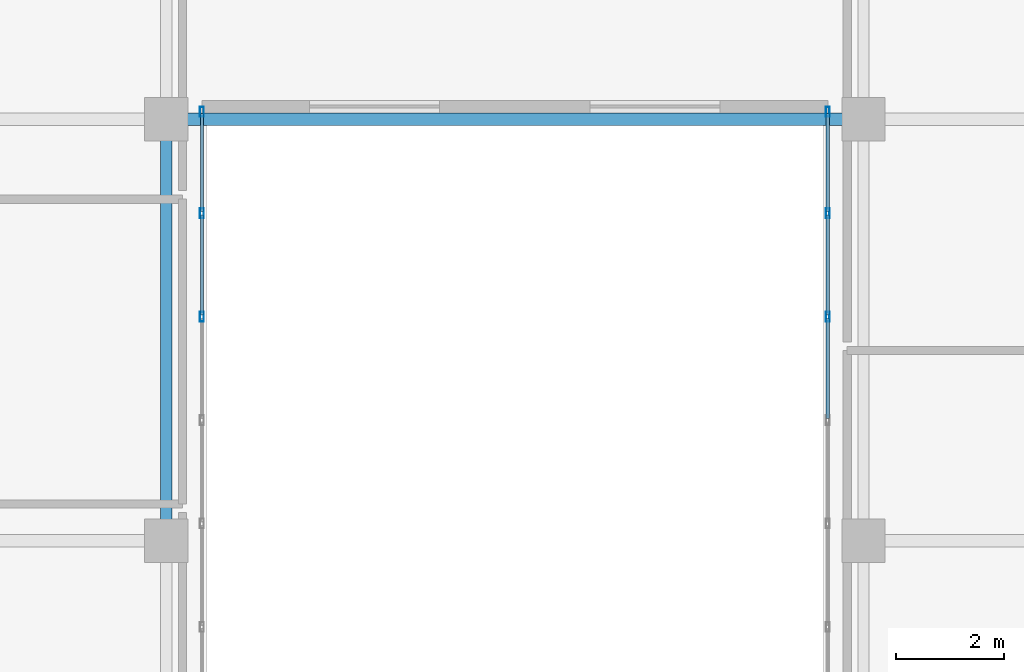
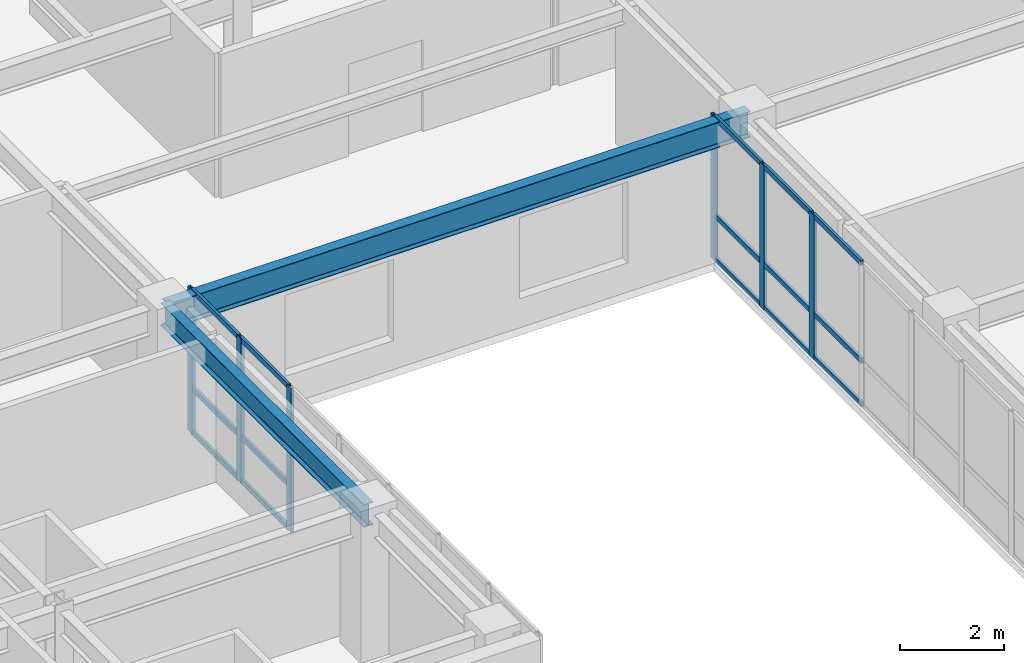
# One storey, part 4 of 14: 21 members, 2 beams, 2 elements without a shape of their own.
"""IFC4 building model written with IfcOpenShell, lengths in metres."""

from ifc_helpers import new_model, si_unit, direction, frame, origin, origin_2d, place, context, subcontext, project, spatial, hollow_rectangle, i_section, extrude, source, transform, mapped, material, layer, layer_set, material_profile, profile_set, type_object, type_shapes, element, aggregate, save


model = new_model("IFC4")

# Units and contexts
model_context = context("Model", 3, precision=1e-05, world=origin(), true_north=direction((0.0, 1.0)))
body_context = subcontext(model_context, "Body", "Model", "MODEL_VIEW")
ifc_project = project(units=[si_unit("LENGTHUNIT", "METRE"), si_unit("AREAUNIT", "SQUARE_METRE"), si_unit("VOLUMEUNIT", "CUBIC_METRE"), si_unit("PLANEANGLEUNIT", "RADIAN"), si_unit("MASSUNIT", "GRAM", prefix="KILO")], contexts=[model_context])

# Site, building, storey
site_placement = place(None, origin())
site = spatial("IfcSite", under=ifc_project, at=site_placement, CompositionType="ELEMENT")
building_placement = place(site_placement, origin())
building = spatial("IfcBuilding", under=site, at=building_placement, Name="Tolvann Quenvar Hotel", CompositionType="ELEMENT")
storey_placement = place(building_placement, frame((0.0, 0.0, 187.550048828125)))
storey = spatial("IfcBuildingStorey", under=building, at=storey_placement, Name="L49", CompositionType="ELEMENT", Elevation=187.550048828125)

# Beams
ifc_material_1 = material(Name="Steel Grade 350", Category="steel")
ifc_material_profile_1 = material_profile(ifc_material_1, i_section(OverallWidth=0.208984375, OverallDepth=0.532958984375, WebThickness=0.01025390625, FlangeThickness=0.015625, FilletRadius=0.013916015625, at=origin_2d()), Name="530UB92")
ifc_profile_set_1 = profile_set([ifc_material_profile_1], Name="Steel Grade 350")
beam_type_1 = type_object("IfcBeamType", Name="BM_GIRD_530UB92", PredefinedType="BEAM", material=ifc_profile_set_1)
shared_shape_1 = source(origin(), body_context, "Body", "SweptSolid", [
    extrude(i_section(OverallWidth=0.208984375, OverallDepth=0.532958984375, WebThickness=0.01025390625, FlangeThickness=0.015625, FilletRadius=0.013916015625, at=origin_2d()), origin(), (0.0, 0.0, 1.0), 7.800048828125),
])
type_shapes(beam_type_1, [shared_shape_1])
beam_1_placement = place(storey_placement, frame((22.050048828125, 8.199951171875, 3.103515625), z_axis=(0.0, 1.0, 0.0), x_axis=(-1.0, 0.0, 0.0)))
element("IfcBeam", 1, at=beam_1_placement, inside=storey, type_object=beam_type_1, Name="BM-L49-NS-E3-E4", PredefinedType="BEAM", context=body_context, shape_type="MappedRepresentation", body=[
    mapped(shared_shape_1, transform((0.0, 0.0, 0.0), x_axis=(1.0, 0.0, 0.0), y_axis=(0.0, 1.0, 0.0), z_axis=(0.0, 0.0, 1.0), scale=1.0)),
])
ifc_material_profile_2 = material_profile(ifc_material_1, i_section(OverallWidth=0.22802734375, OverallDepth=0.60205078125, WebThickness=0.010498046875, FlangeThickness=0.014892578125, FilletRadius=0.013916015625, at=origin_2d()), Name="610UB101")
ifc_profile_set_2 = profile_set([ifc_material_profile_2], Name="Steel Grade 350")
beam_type_2 = type_object("IfcBeamType", Name="BM_GIRD_610UB101", PredefinedType="BEAM", material=ifc_profile_set_2)
shared_shape_2 = source(origin(), body_context, "Body", "SweptSolid", [
    extrude(i_section(OverallWidth=0.22802734375, OverallDepth=0.60205078125, WebThickness=0.010498046875, FlangeThickness=0.014892578125, FilletRadius=0.013916015625, at=origin_2d()), origin(), (0.0, 0.0, 1.0), 12.89990234375),
])
type_shapes(beam_type_2, [shared_shape_2])
beam_2_placement = place(storey_placement, frame((22.050048828125, 16.0, 3.06884765625), z_axis=(1.0, 0.0, 0.0), x_axis=(0.0, 1.0, 0.0)))
element("IfcBeam", 2, at=beam_2_placement, inside=storey, type_object=beam_type_2, Name="BM-L49-EW-4-E4-F4", PredefinedType="BEAM", context=body_context, shape_type="MappedRepresentation", body=[
    mapped(shared_shape_2, transform((0.0, 0.0, 0.0), x_axis=(1.0, 0.0, 0.0), y_axis=(0.0, 1.0, 0.0), z_axis=(0.0, 0.0, 1.0), scale=1.0)),
])

# Curtain wall, members
ifc_material_2 = material(Name="Thermally broken anodised architectural aluminium 6063-T6 and laminated low-E glass", Category="aluminium")
ifc_layer = layer(ifc_material_2, 0.179931640625)
ifc_layer_set = layer_set([ifc_layer], Name="Thermally broken anodised architectural aluminium 6063-T6 and laminated low-E glass")
curtain_wall_type = type_object("IfcCurtainWallType", Name="CW_SYS_SLOT_03", PredefinedType="USERDEFINED", material=ifc_layer_set)
curtain_wall_1_placement = place(storey_placement, origin())
curtain_wall_1 = element("IfcCurtainWall", 3, at=curtain_wall_1_placement, inside=storey, type_object=curtain_wall_type, Name="Curtain Wall CW-SLOT-03 (CWR-L49-E05)", ObjectType="UNITISED CURTAIN WALL", PredefinedType="USERDEFINED")
ifc_material_3 = material(Name="Anodised architectural aluminium 6063-T6 framing", Category="aluminium")
ifc_material_profile_3 = material_profile(ifc_material_3, hollow_rectangle(XDim=0.070068359375, YDim=0.179931640625, WallThickness=0.00390625, at=origin_2d()), Name="180x70x4RHS")
ifc_profile_set_3 = profile_set([ifc_material_profile_3], Name="Anodised architectural aluminium 6063-T6 framing")
member_type_1 = type_object("IfcMemberType", Name="CW_MULL_180x70", PredefinedType="MULLION", material=ifc_profile_set_3)
shared_shape_3 = source(origin(), body_context, "Body", "SweptSolid", [
    extrude(hollow_rectangle(XDim=0.070068359375, YDim=0.179931640625, WallThickness=0.00390625, at=origin_2d()), origin(), (0.0, 0.0, 1.0), 3.369873046875),
])
type_shapes(member_type_1, [shared_shape_3])
member_1_placement = place(storey_placement, frame((22.7099609375, 12.346435546875, 0.0), z_axis=(0.0, 0.0, 1.0), x_axis=(-1.0, 0.0, 0.0)))
member_1 = element("IfcMember", 4, at=member_1_placement, type_object=member_type_1, Name="CW-SLOT-03 mullion 6", PredefinedType="MULLION", context=body_context, shape_type="MappedRepresentation", body=[
    mapped(shared_shape_3, transform((0.0, 0.0, 0.0), x_axis=(1.0, 0.0, 0.0), y_axis=(0.0, 1.0, 0.0), z_axis=(0.0, 0.0, 1.0), scale=1.0)),
])
member_2_placement = place(storey_placement, frame((22.7099609375, 14.2607421875, 0.0), z_axis=(0.0, 0.0, 1.0), x_axis=(-1.0, 0.0, 0.0)))
member_2 = element("IfcMember", 5, at=member_2_placement, type_object=member_type_1, Name="CW-SLOT-03 mullion 7", PredefinedType="MULLION", context=body_context, shape_type="MappedRepresentation", body=[
    mapped(shared_shape_3, transform((0.0, 0.0, 0.0), x_axis=(1.0, 0.0, 0.0), y_axis=(0.0, 1.0, 0.0), z_axis=(0.0, 0.0, 1.0), scale=1.0)),
])
member_3_placement = place(storey_placement, frame((22.7099609375, 16.139892578125, 0.0), z_axis=(0.0, 0.0, 1.0), x_axis=(-1.0, 0.0, 0.0)))
member_3 = element("IfcMember", 6, at=member_3_placement, type_object=member_type_1, Name="CW-SLOT-03 mullion 8", PredefinedType="MULLION", context=body_context, shape_type="MappedRepresentation", body=[
    mapped(shared_shape_3, transform((0.0, 0.0, 0.0), x_axis=(1.0, 0.0, 0.0), y_axis=(0.0, 1.0, 0.0), z_axis=(0.0, 0.0, 1.0), scale=1.0)),
])

curtain_wall_2_placement = place(storey_placement, origin())
curtain_wall_2 = element("IfcCurtainWall", 7, at=curtain_wall_2_placement, inside=storey, type_object=curtain_wall_type, Name="Curtain Wall CW-SLOT-03 (CWR-L49-E07)", ObjectType="UNITISED CURTAIN WALL", PredefinedType="USERDEFINED")
member_4_placement = place(storey_placement, frame((34.2900390625, 16.139892578125, 0.0), z_axis=(0.0, 0.0, 1.0), x_axis=(1.0, 0.0, 0.0)))
member_4 = element("IfcMember", 8, at=member_4_placement, type_object=member_type_1, Name="CW-SLOT-03 mullion 1", PredefinedType="MULLION", context=body_context, shape_type="MappedRepresentation", body=[
    mapped(shared_shape_3, transform((0.0, 0.0, 0.0), x_axis=(1.0, 0.0, 0.0), y_axis=(0.0, 1.0, 0.0), z_axis=(0.0, 0.0, 1.0), scale=1.0)),
])
member_5_placement = place(storey_placement, frame((34.2900390625, 14.2607421875, 0.0), z_axis=(0.0, 0.0, 1.0), x_axis=(1.0, 0.0, 0.0)))
member_5 = element("IfcMember", 9, at=member_5_placement, type_object=member_type_1, Name="CW-SLOT-03 mullion 2", PredefinedType="MULLION", context=body_context, shape_type="MappedRepresentation", body=[
    mapped(shared_shape_3, transform((0.0, 0.0, 0.0), x_axis=(1.0, 0.0, 0.0), y_axis=(0.0, 1.0, 0.0), z_axis=(0.0, 0.0, 1.0), scale=1.0)),
])
member_6_placement = place(storey_placement, frame((34.2900390625, 12.346435546875, 0.0), z_axis=(0.0, 0.0, 1.0), x_axis=(1.0, 0.0, 0.0)))
member_6 = element("IfcMember", 10, at=member_6_placement, type_object=member_type_1, Name="CW-SLOT-03 mullion 3", PredefinedType="MULLION", context=body_context, shape_type="MappedRepresentation", body=[
    mapped(shared_shape_3, transform((0.0, 0.0, 0.0), x_axis=(1.0, 0.0, 0.0), y_axis=(0.0, 1.0, 0.0), z_axis=(0.0, 0.0, 1.0), scale=1.0)),
])

# Member
ifc_material_profile_4 = material_profile(ifc_material_3, hollow_rectangle(XDim=0.06005859375, YDim=0.1201171875, WallThickness=0.00341796875, at=origin_2d()), Name="120x60x3.5RHS")
ifc_profile_set_4 = profile_set([ifc_material_profile_4], Name="Anodised architectural aluminium 6063-T6 framing")
member_type_2 = type_object("IfcMemberType", Name="CW_TRAN_120x60", PredefinedType="USERDEFINED", material=ifc_profile_set_4)
shared_shape_4 = source(origin(), body_context, "Body", "SweptSolid", [
    extrude(hollow_rectangle(XDim=0.06005859375, YDim=0.1201171875, WallThickness=0.00341796875, at=origin_2d()), origin(), (0.0, 0.0, 1.0), 1.809326171875),
])
member_7_placement = place(storey_placement, frame((22.7099609375, 14.295654296875, 0.030029296875), z_axis=(0.0, 1.0, 0.0), x_axis=(-1.0, 0.0, 0.0)))
member_7 = element("IfcMember", 11, at=member_7_placement, type_object=member_type_2, Name="CW-SLOT-03 transom 7.1", ObjectType="TRANSOM", PredefinedType="USERDEFINED", context=body_context, shape_type="MappedRepresentation", body=[
    mapped(shared_shape_4, transform((0.0, 0.0, 0.0), x_axis=(1.0, 0.0, 0.0), y_axis=(0.0, 1.0, 0.0), z_axis=(0.0, 0.0, 1.0), scale=1.0)),
])

member_8_placement = place(storey_placement, frame((22.7099609375, 14.295654296875, 1.050048828125), z_axis=(0.0, 1.0, 0.0), x_axis=(-1.0, 0.0, 0.0)))
member_8 = element("IfcMember", 12, at=member_8_placement, type_object=member_type_2, Name="CW-SLOT-03 transom 7.2", ObjectType="TRANSOM", PredefinedType="USERDEFINED", context=body_context, shape_type="MappedRepresentation", body=[
    mapped(shared_shape_4, transform((0.0, 0.0, 0.0), x_axis=(1.0, 0.0, 0.0), y_axis=(0.0, 1.0, 0.0), z_axis=(0.0, 0.0, 1.0), scale=1.0)),
])

member_9_placement = place(storey_placement, frame((22.7099609375, 14.295654296875, 3.33984375), z_axis=(0.0, 1.0, 0.0), x_axis=(-1.0, 0.0, 0.0)))
member_9 = element("IfcMember", 13, at=member_9_placement, type_object=member_type_2, Name="CW-SLOT-03 transom 7.3", ObjectType="TRANSOM", PredefinedType="USERDEFINED", context=body_context, shape_type="MappedRepresentation", body=[
    mapped(shared_shape_4, transform((0.0, 0.0, 0.0), x_axis=(1.0, 0.0, 0.0), y_axis=(0.0, 1.0, 0.0), z_axis=(0.0, 0.0, 1.0), scale=1.0)),
])

member_10_placement = place(storey_placement, frame((34.2900390625, 16.10498046875, 0.030029296875), z_axis=(0.0, -1.0, 0.0), x_axis=(1.0, 0.0, 0.0)))
member_10 = element("IfcMember", 14, at=member_10_placement, type_object=member_type_2, Name="CW-SLOT-03 transom 1.1", ObjectType="TRANSOM", PredefinedType="USERDEFINED", context=body_context, shape_type="MappedRepresentation", body=[
    mapped(shared_shape_4, transform((0.0, 0.0, 0.0), x_axis=(1.0, 0.0, 0.0), y_axis=(0.0, 1.0, 0.0), z_axis=(0.0, 0.0, 1.0), scale=1.0)),
])

member_11_placement = place(storey_placement, frame((34.2900390625, 16.10498046875, 1.050048828125), z_axis=(0.0, -1.0, 0.0), x_axis=(1.0, 0.0, 0.0)))
member_11 = element("IfcMember", 15, at=member_11_placement, type_object=member_type_2, Name="CW-SLOT-03 transom 1.2", ObjectType="TRANSOM", PredefinedType="USERDEFINED", context=body_context, shape_type="MappedRepresentation", body=[
    mapped(shared_shape_4, transform((0.0, 0.0, 0.0), x_axis=(1.0, 0.0, 0.0), y_axis=(0.0, 1.0, 0.0), z_axis=(0.0, 0.0, 1.0), scale=1.0)),
])

member_12_placement = place(storey_placement, frame((34.2900390625, 16.10498046875, 3.33984375), z_axis=(0.0, -1.0, 0.0), x_axis=(1.0, 0.0, 0.0)))
member_12 = element("IfcMember", 16, at=member_12_placement, type_object=member_type_2, Name="CW-SLOT-03 transom 1.3", ObjectType="TRANSOM", PredefinedType="USERDEFINED", context=body_context, shape_type="MappedRepresentation", body=[
    mapped(shared_shape_4, transform((0.0, 0.0, 0.0), x_axis=(1.0, 0.0, 0.0), y_axis=(0.0, 1.0, 0.0), z_axis=(0.0, 0.0, 1.0), scale=1.0)),
])

shared_shape_5 = source(origin(), body_context, "Body", "SweptSolid", [
    extrude(hollow_rectangle(XDim=0.06005859375, YDim=0.1201171875, WallThickness=0.00341796875, at=origin_2d()), origin(), (0.0, 0.0, 1.0), 1.844482421875),
])
type_shapes(member_type_2, [shared_shape_4, shared_shape_5])
member_13_placement = place(storey_placement, frame((22.7099609375, 12.38134765625, 0.030029296875), z_axis=(0.0, 1.0, 0.0), x_axis=(-1.0, 0.0, 0.0)))
member_13 = element("IfcMember", 17, at=member_13_placement, type_object=member_type_2, Name="CW-SLOT-03 transom 6.1", ObjectType="TRANSOM", PredefinedType="USERDEFINED", context=body_context, shape_type="MappedRepresentation", body=[
    mapped(shared_shape_5, transform((0.0, 0.0, 0.0), x_axis=(1.0, 0.0, 0.0), y_axis=(0.0, 1.0, 0.0), z_axis=(0.0, 0.0, 1.0), scale=1.0)),
])

member_14_placement = place(storey_placement, frame((22.7099609375, 12.38134765625, 1.050048828125), z_axis=(0.0, 1.0, 0.0), x_axis=(-1.0, 0.0, 0.0)))
member_14 = element("IfcMember", 18, at=member_14_placement, type_object=member_type_2, Name="CW-SLOT-03 transom 6.2", ObjectType="TRANSOM", PredefinedType="USERDEFINED", context=body_context, shape_type="MappedRepresentation", body=[
    mapped(shared_shape_5, transform((0.0, 0.0, 0.0), x_axis=(1.0, 0.0, 0.0), y_axis=(0.0, 1.0, 0.0), z_axis=(0.0, 0.0, 1.0), scale=1.0)),
])

member_15_placement = place(storey_placement, frame((22.7099609375, 12.38134765625, 3.33984375), z_axis=(0.0, 1.0, 0.0), x_axis=(-1.0, 0.0, 0.0)))
member_15 = element("IfcMember", 19, at=member_15_placement, type_object=member_type_2, Name="CW-SLOT-03 transom 6.3", ObjectType="TRANSOM", PredefinedType="USERDEFINED", context=body_context, shape_type="MappedRepresentation", body=[
    mapped(shared_shape_5, transform((0.0, 0.0, 0.0), x_axis=(1.0, 0.0, 0.0), y_axis=(0.0, 1.0, 0.0), z_axis=(0.0, 0.0, 1.0), scale=1.0)),
])

aggregate(curtain_wall_1, [member_1, member_2, member_3, member_13, member_14, member_15, member_7, member_8, member_9])

member_16_placement = place(storey_placement, frame((34.2900390625, 14.225830078125, 0.030029296875), z_axis=(0.0, -1.0, 0.0), x_axis=(1.0, 0.0, 0.0)))
member_16 = element("IfcMember", 20, at=member_16_placement, type_object=member_type_2, Name="CW-SLOT-03 transom 2.1", ObjectType="TRANSOM", PredefinedType="USERDEFINED", context=body_context, shape_type="MappedRepresentation", body=[
    mapped(shared_shape_5, transform((0.0, 0.0, 0.0), x_axis=(1.0, 0.0, 0.0), y_axis=(0.0, 1.0, 0.0), z_axis=(0.0, 0.0, 1.0), scale=1.0)),
])

member_17_placement = place(storey_placement, frame((34.2900390625, 14.225830078125, 1.050048828125), z_axis=(0.0, -1.0, 0.0), x_axis=(1.0, 0.0, 0.0)))
member_17 = element("IfcMember", 21, at=member_17_placement, type_object=member_type_2, Name="CW-SLOT-03 transom 2.2", ObjectType="TRANSOM", PredefinedType="USERDEFINED", context=body_context, shape_type="MappedRepresentation", body=[
    mapped(shared_shape_5, transform((0.0, 0.0, 0.0), x_axis=(1.0, 0.0, 0.0), y_axis=(0.0, 1.0, 0.0), z_axis=(0.0, 0.0, 1.0), scale=1.0)),
])

member_18_placement = place(storey_placement, frame((34.2900390625, 14.225830078125, 3.33984375), z_axis=(0.0, -1.0, 0.0), x_axis=(1.0, 0.0, 0.0)))
member_18 = element("IfcMember", 22, at=member_18_placement, type_object=member_type_2, Name="CW-SLOT-03 transom 2.3", ObjectType="TRANSOM", PredefinedType="USERDEFINED", context=body_context, shape_type="MappedRepresentation", body=[
    mapped(shared_shape_5, transform((0.0, 0.0, 0.0), x_axis=(1.0, 0.0, 0.0), y_axis=(0.0, 1.0, 0.0), z_axis=(0.0, 0.0, 1.0), scale=1.0)),
])

member_19_placement = place(storey_placement, frame((34.2900390625, 12.3115234375, 0.030029296875), z_axis=(0.0, -1.0, 0.0), x_axis=(1.0, 0.0, 0.0)))
member_19 = element("IfcMember", 23, at=member_19_placement, type_object=member_type_2, Name="CW-SLOT-03 transom 3.1", ObjectType="TRANSOM", PredefinedType="USERDEFINED", context=body_context, shape_type="MappedRepresentation", body=[
    mapped(shared_shape_5, transform((0.0, 0.0, 0.0), x_axis=(1.0, 0.0, 0.0), y_axis=(0.0, 1.0, 0.0), z_axis=(0.0, 0.0, 1.0), scale=1.0)),
])

member_20_placement = place(storey_placement, frame((34.2900390625, 12.3115234375, 1.050048828125), z_axis=(0.0, -1.0, 0.0), x_axis=(1.0, 0.0, 0.0)))
member_20 = element("IfcMember", 24, at=member_20_placement, type_object=member_type_2, Name="CW-SLOT-03 transom 3.2", ObjectType="TRANSOM", PredefinedType="USERDEFINED", context=body_context, shape_type="MappedRepresentation", body=[
    mapped(shared_shape_5, transform((0.0, 0.0, 0.0), x_axis=(1.0, 0.0, 0.0), y_axis=(0.0, 1.0, 0.0), z_axis=(0.0, 0.0, 1.0), scale=1.0)),
])

member_21_placement = place(storey_placement, frame((34.2900390625, 12.3115234375, 3.33984375), z_axis=(0.0, -1.0, 0.0), x_axis=(1.0, 0.0, 0.0)))
member_21 = element("IfcMember", 25, at=member_21_placement, type_object=member_type_2, Name="CW-SLOT-03 transom 3.3", ObjectType="TRANSOM", PredefinedType="USERDEFINED", context=body_context, shape_type="MappedRepresentation", body=[
    mapped(shared_shape_5, transform((0.0, 0.0, 0.0), x_axis=(1.0, 0.0, 0.0), y_axis=(0.0, 1.0, 0.0), z_axis=(0.0, 0.0, 1.0), scale=1.0)),
])

aggregate(curtain_wall_2, [member_4, member_5, member_6, member_10, member_11, member_12, member_16, member_17, member_18, member_19, member_20, member_21])

save(model, "model.ifc")
